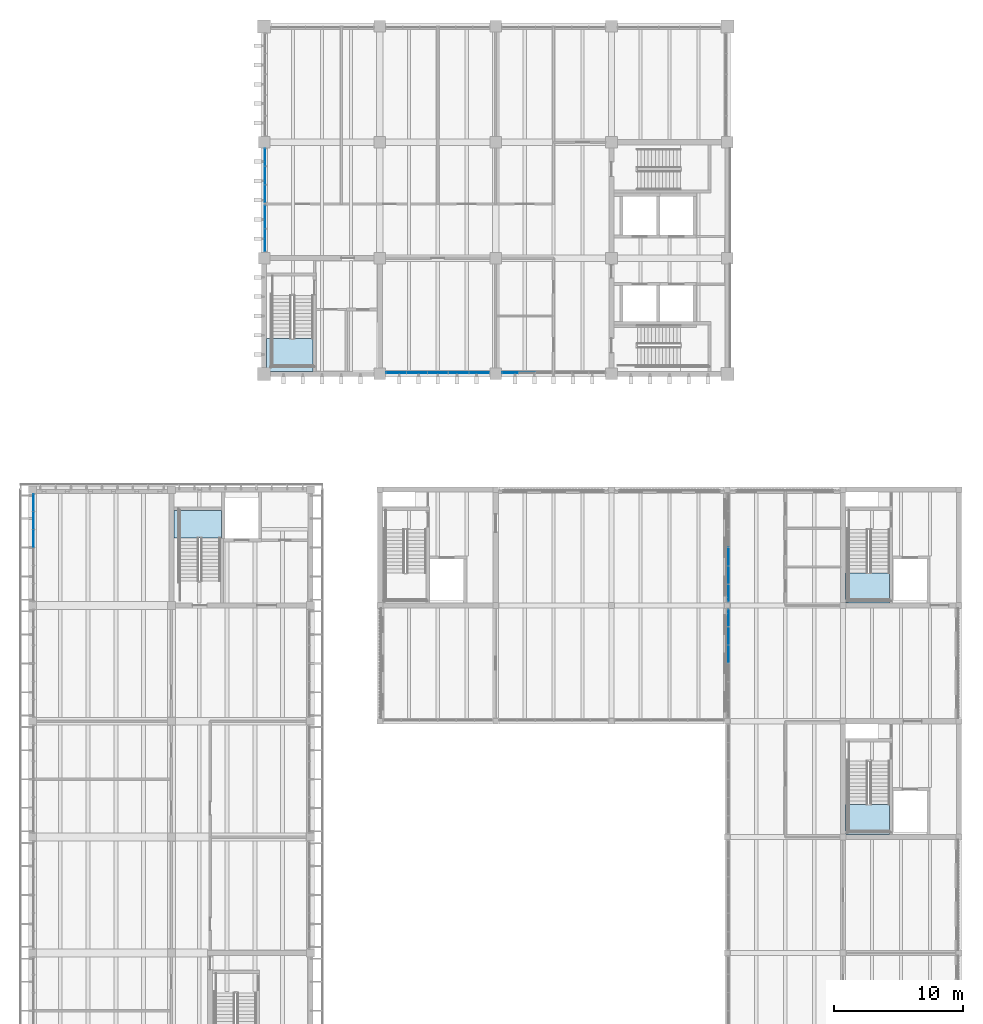
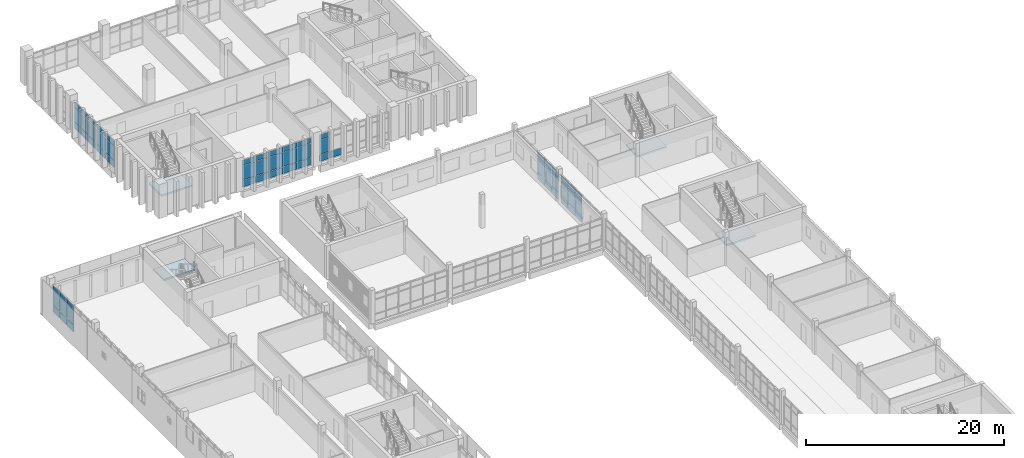
# One storey, part 46 of 88: 61 plates, 4 slabs, 11 elements without a shape of their own.
"""IFC4 building model written with IfcOpenShell, lengths in metres."""

from ifc_helpers import new_model, si_unit, direction, frame, origin, origin_2d, place, context, subcontext, project, spatial, polyline, rectangle, outline, extrude, material, layer, layer_set, type_object, element, aggregate, save


model = new_model("IFC4")

# Units and contexts
model_context = context("Model", 3, precision=1e-05, world=origin(), true_north=direction((0.0, 1.0)))
body_context = subcontext(model_context, "Body", "Model", "MODEL_VIEW")
ifc_project = project(units=[si_unit("LENGTHUNIT", "METRE"), si_unit("AREAUNIT", "SQUARE_METRE"), si_unit("VOLUMEUNIT", "CUBIC_METRE"), si_unit("PLANEANGLEUNIT", "RADIAN"), si_unit("MASSUNIT", "GRAM", prefix="KILO")], contexts=[model_context])

# Site, building, storey
site_placement = place(None, origin())
site = spatial("IfcSite", under=ifc_project, at=site_placement, CompositionType="ELEMENT")
building_placement = place(site_placement, origin())
building = spatial("IfcBuilding", under=site, at=building_placement, Name="Merrow Basin Faculty of Sciences", CompositionType="ELEMENT")
storey_placement = place(building_placement, frame((0.0, 0.0, 9.0)))
storey = spatial("IfcBuildingStorey", under=building, at=storey_placement, Name="L02", CompositionType="ELEMENT", Elevation=9.0)

# Curtain wall, plates
ifc_material_1 = material(Name="Aluminium alloy 6063", Category="aluminium")
curtain_wall_type_1 = type_object("IfcCurtainWallType", Name="Bar unitised curtain wall 180", PredefinedType="NOTDEFINED", material=ifc_material_1)
curtain_wall_1_placement = place(storey_placement, origin())
curtain_wall_1 = element("IfcCurtainWall", 1, at=curtain_wall_1_placement, inside=storey, type_object=curtain_wall_type_1, Name="West curtain wall L02 7", PredefinedType="NOTDEFINED")
ifc_material_2 = material(Name="Insulated aluminium spandrel panel", Category="aluminium")
ifc_layer_1 = layer(ifc_material_2, 0.052001953125)
ifc_layer_set_1 = layer_set([ifc_layer_1], Name="Insulated spandrel panel 52")
plate_type_1 = type_object("IfcPlateType", Name="Insulated spandrel panel 52", PredefinedType="CURTAIN_PANEL", material=ifc_layer_set_1)
plate_1_placement = place(storey_placement, frame((0.090087890625, 129.199951171875, 0.06005859375), z_axis=(0.0, 0.0, 1.0), x_axis=(0.0, 1.0, 0.0)))
plate_1 = element("IfcPlate", 2, at=plate_1_placement, type_object=plate_type_1, Name="CW1 panel 4.1", PredefinedType="CURTAIN_PANEL", context=body_context, shape_type="SweptSolid", body=[
    extrude(rectangle(XDim=1.340087890625, YDim=0.052001953125, at=origin_2d()), origin(), (0.0, 0.0, 1.0), 0.81005859375),
])
plate_2_placement = place(storey_placement, frame((0.090087890625, 130.60009765625, 0.06005859375), z_axis=(0.0, 0.0, 1.0), x_axis=(0.0, 1.0, 0.0)))
plate_2 = element("IfcPlate", 3, at=plate_2_placement, type_object=plate_type_1, Name="CW1 panel 5.1", PredefinedType="CURTAIN_PANEL", context=body_context, shape_type="SweptSolid", body=[
    extrude(rectangle(XDim=1.340087890625, YDim=0.052001953125, at=origin_2d()), origin(), (0.0, 0.0, 1.0), 0.81005859375),
])
plate_3_placement = place(storey_placement, frame((0.090087890625, 131.985107421875, 0.06005859375), z_axis=(0.0, 0.0, 1.0), x_axis=(0.0, 1.0, 0.0)))
plate_3 = element("IfcPlate", 4, at=plate_3_placement, type_object=plate_type_1, Name="CW1 panel 6.1", PredefinedType="CURTAIN_PANEL", context=body_context, shape_type="SweptSolid", body=[
    extrude(rectangle(XDim=1.31005859375, YDim=0.052001953125, at=origin_2d()), origin(), (0.0, 0.0, 1.0), 0.81005859375),
])

ifc_material_3 = material(Name="Aluminium alloy 6063", Category="aluminium")
curtain_wall_type_2 = type_object("IfcCurtainWallType", Name="Court curtain wall 140", PredefinedType="NOTDEFINED", material=ifc_material_3)
curtain_wall_2_placement = place(storey_placement, origin())
curtain_wall_2 = element("IfcCurtainWall", 5, at=curtain_wall_2_placement, inside=storey, type_object=curtain_wall_type_2, Name="Court curtain wall L02 7", PredefinedType="NOTDEFINED")
plate_4_placement = place(storey_placement, frame((54.070068359375, 120.21240234375, 0.06005859375), z_axis=(0.0, 0.0, 1.0), x_axis=(0.0, 1.0, 0.0)))
plate_4 = element("IfcPlate", 6, at=plate_4_placement, type_object=plate_type_1, Name="CW8 panel 4.1", PredefinedType="CURTAIN_PANEL", context=body_context, shape_type="SweptSolid", body=[
    extrude(rectangle(XDim=1.364990234375, YDim=0.052001953125, at=origin_2d()), origin(), (0.0, 0.0, 1.0), 0.81005859375),
])
plate_5_placement = place(storey_placement, frame((54.070068359375, 121.637451171875, 0.06005859375), z_axis=(0.0, 0.0, 1.0), x_axis=(0.0, 1.0, 0.0)))
plate_5 = element("IfcPlate", 7, at=plate_5_placement, type_object=plate_type_1, Name="CW8 panel 5.1", PredefinedType="CURTAIN_PANEL", context=body_context, shape_type="SweptSolid", body=[
    extrude(rectangle(XDim=1.364990234375, YDim=0.052001953125, at=origin_2d()), origin(), (0.0, 0.0, 1.0), 0.81005859375),
])
plate_6_placement = place(storey_placement, frame((54.070068359375, 123.047607421875, 0.06005859375), z_axis=(0.0, 0.0, 1.0), x_axis=(0.0, 1.0, 0.0)))
plate_6 = element("IfcPlate", 8, at=plate_6_placement, type_object=plate_type_1, Name="CW8 panel 6.1", PredefinedType="CURTAIN_PANEL", context=body_context, shape_type="SweptSolid", body=[
    extrude(rectangle(XDim=1.3349609375, YDim=0.052001953125, at=origin_2d()), origin(), (0.0, 0.0, 1.0), 0.81005859375),
])

curtain_wall_3_placement = place(storey_placement, origin())
curtain_wall_3 = element("IfcCurtainWall", 9, at=curtain_wall_3_placement, inside=storey, type_object=curtain_wall_type_2, Name="Court curtain wall L02 8", PredefinedType="NOTDEFINED")
plate_7_placement = place(storey_placement, frame((54.070068359375, 124.952392578125, 0.06005859375), z_axis=(0.0, 0.0, 1.0), x_axis=(0.0, 1.0, 0.0)))
plate_7 = element("IfcPlate", 10, at=plate_7_placement, type_object=plate_type_1, Name="CW8 panel 1.1", PredefinedType="CURTAIN_PANEL", context=body_context, shape_type="SweptSolid", body=[
    extrude(rectangle(XDim=1.3349609375, YDim=0.052001953125, at=origin_2d()), origin(), (0.0, 0.0, 1.0), 0.81005859375),
])
plate_8_placement = place(storey_placement, frame((54.070068359375, 126.362548828125, 0.06005859375), z_axis=(0.0, 0.0, 1.0), x_axis=(0.0, 1.0, 0.0)))
plate_8 = element("IfcPlate", 11, at=plate_8_placement, type_object=plate_type_1, Name="CW8 panel 2.1", PredefinedType="CURTAIN_PANEL", context=body_context, shape_type="SweptSolid", body=[
    extrude(rectangle(XDim=1.364990234375, YDim=0.052001953125, at=origin_2d()), origin(), (0.0, 0.0, 1.0), 0.81005859375),
])
plate_9_placement = place(storey_placement, frame((54.070068359375, 127.78759765625, 0.06005859375), z_axis=(0.0, 0.0, 1.0), x_axis=(0.0, 1.0, 0.0)))
plate_9 = element("IfcPlate", 12, at=plate_9_placement, type_object=plate_type_1, Name="CW8 panel 3.1", PredefinedType="CURTAIN_PANEL", context=body_context, shape_type="SweptSolid", body=[
    extrude(rectangle(XDim=1.364990234375, YDim=0.052001953125, at=origin_2d()), origin(), (0.0, 0.0, 1.0), 0.81005859375),
])

ifc_material_4 = material(Name="Aluminium alloy 6063", Category="aluminium")
curtain_wall_type_3 = type_object("IfcCurtainWallType", Name="Unitised curtain wall 160", PredefinedType="NOTDEFINED", material=ifc_material_4)
curtain_wall_4_placement = place(storey_placement, origin())
curtain_wall_4 = element("IfcCurtainWall", 13, at=curtain_wall_4_placement, inside=storey, type_object=curtain_wall_type_3, Name="W curtain wall L02 1", PredefinedType="NOTDEFINED")
plate_10_placement = place(storey_placement, frame((18.080078125, 152.3837890625, 0.06005859375), z_axis=(0.0, 0.0, 1.0), x_axis=(0.0, 1.0, 0.0)))
plate_10 = element("IfcPlate", 14, at=plate_10_placement, type_object=plate_type_1, Name="CW3 panel 1.1", PredefinedType="CURTAIN_PANEL", context=body_context, shape_type="SweptSolid", body=[
    extrude(rectangle(XDim=1.74755859375, YDim=0.052001953125, at=origin_2d()), origin(), (0.0, 0.0, 1.0), 0.81005859375),
])
plate_11_placement = place(storey_placement, frame((18.080078125, 154.191162109375, 0.06005859375), z_axis=(0.0, 0.0, 1.0), x_axis=(0.0, 1.0, 0.0)))
plate_11 = element("IfcPlate", 15, at=plate_11_placement, type_object=plate_type_1, Name="CW3 panel 2.1", PredefinedType="CURTAIN_PANEL", context=body_context, shape_type="SweptSolid", body=[
    extrude(rectangle(XDim=1.74755859375, YDim=0.052001953125, at=origin_2d()), origin(), (0.0, 0.0, 1.0), 0.81005859375),
])

curtain_wall_5_placement = place(storey_placement, origin())
curtain_wall_5 = element("IfcCurtainWall", 16, at=curtain_wall_5_placement, inside=storey, type_object=curtain_wall_type_3, Name="W curtain wall L02 2", PredefinedType="NOTDEFINED")
plate_12_placement = place(storey_placement, frame((18.080078125, 156.00244140625, 0.06005859375), z_axis=(0.0, 0.0, 1.0), x_axis=(0.0, 1.0, 0.0)))
plate_12 = element("IfcPlate", 17, at=plate_12_placement, type_object=plate_type_1, Name="CW3 panel 1.1", PredefinedType="CURTAIN_PANEL", context=body_context, shape_type="SweptSolid", body=[
    extrude(rectangle(XDim=1.3349609375, YDim=0.052001953125, at=origin_2d()), origin(), (0.0, 0.0, 1.0), 0.81005859375),
])
plate_13_placement = place(storey_placement, frame((18.080078125, 157.41259765625, 0.06005859375), z_axis=(0.0, 0.0, 1.0), x_axis=(0.0, 1.0, 0.0)))
plate_13 = element("IfcPlate", 18, at=plate_13_placement, type_object=plate_type_1, Name="CW3 panel 2.1", PredefinedType="CURTAIN_PANEL", context=body_context, shape_type="SweptSolid", body=[
    extrude(rectangle(XDim=1.364990234375, YDim=0.052001953125, at=origin_2d()), origin(), (0.0, 0.0, 1.0), 0.81005859375),
])
plate_14_placement = place(storey_placement, frame((18.080078125, 158.822509765625, 0.06005859375), z_axis=(0.0, 0.0, 1.0), x_axis=(0.0, 1.0, 0.0)))
plate_14 = element("IfcPlate", 19, at=plate_14_placement, type_object=plate_type_1, Name="CW3 panel 3.1", PredefinedType="CURTAIN_PANEL", context=body_context, shape_type="SweptSolid", body=[
    extrude(rectangle(XDim=1.3349609375, YDim=0.052001953125, at=origin_2d()), origin(), (0.0, 0.0, 1.0), 0.81005859375),
])

curtain_wall_6_placement = place(storey_placement, origin())
curtain_wall_6 = element("IfcCurtainWall", 20, at=curtain_wall_6_placement, inside=storey, type_object=curtain_wall_type_3, Name="S curtain wall L02 1", PredefinedType="NOTDEFINED")
plate_15_placement = place(storey_placement, frame((28.27490234375, 142.080078125, 0.06005859375), z_axis=(0.0, 0.0, 1.0), x_axis=(1.0, 0.0, 0.0)))
plate_15 = element("IfcPlate", 21, at=plate_15_placement, type_object=plate_type_1, Name="CW3 panel 1.1", PredefinedType="CURTAIN_PANEL", context=body_context, shape_type="SweptSolid", body=[
    extrude(rectangle(XDim=1.530029296875, YDim=0.052001953125, at=origin_2d()), origin(), (0.0, 0.0, 1.0), 0.81005859375),
])
plate_16_placement = place(storey_placement, frame((29.8798828125, 142.080078125, 0.06005859375), z_axis=(0.0, 0.0, 1.0), x_axis=(1.0, 0.0, 0.0)))
plate_16 = element("IfcPlate", 22, at=plate_16_placement, type_object=plate_type_1, Name="CW3 panel 2.1", PredefinedType="CURTAIN_PANEL", context=body_context, shape_type="SweptSolid", body=[
    extrude(rectangle(XDim=1.56005859375, YDim=0.052001953125, at=origin_2d()), origin(), (0.0, 0.0, 1.0), 0.81005859375),
])
plate_17_placement = place(storey_placement, frame((31.5, 142.080078125, 0.06005859375), z_axis=(0.0, 0.0, 1.0), x_axis=(1.0, 0.0, 0.0)))
plate_17 = element("IfcPlate", 23, at=plate_17_placement, type_object=plate_type_1, Name="CW3 panel 3.1", PredefinedType="CURTAIN_PANEL", context=body_context, shape_type="SweptSolid", body=[
    extrude(rectangle(XDim=1.56005859375, YDim=0.052001953125, at=origin_2d()), origin(), (0.0, 0.0, 1.0), 0.81005859375),
])
plate_18_placement = place(storey_placement, frame((33.1201171875, 142.080078125, 0.06005859375), z_axis=(0.0, 0.0, 1.0), x_axis=(1.0, 0.0, 0.0)))
plate_18 = element("IfcPlate", 24, at=plate_18_placement, type_object=plate_type_1, Name="CW3 panel 4.1", PredefinedType="CURTAIN_PANEL", context=body_context, shape_type="SweptSolid", body=[
    extrude(rectangle(XDim=1.56005859375, YDim=0.052001953125, at=origin_2d()), origin(), (0.0, 0.0, 1.0), 0.81005859375),
])
plate_19_placement = place(storey_placement, frame((34.72509765625, 142.080078125, 0.06005859375), z_axis=(0.0, 0.0, 1.0), x_axis=(1.0, 0.0, 0.0)))
plate_19 = element("IfcPlate", 25, at=plate_19_placement, type_object=plate_type_1, Name="CW3 panel 5.1", PredefinedType="CURTAIN_PANEL", context=body_context, shape_type="SweptSolid", body=[
    extrude(rectangle(XDim=1.530029296875, YDim=0.052001953125, at=origin_2d()), origin(), (0.0, 0.0, 1.0), 0.81005859375),
])

curtain_wall_7_placement = place(storey_placement, origin())
curtain_wall_7 = element("IfcCurtainWall", 26, at=curtain_wall_7_placement, inside=storey, type_object=curtain_wall_type_3, Name="S curtain wall L02 2", PredefinedType="NOTDEFINED")
plate_20_placement = place(storey_placement, frame((37.12744140625, 142.080078125, 0.06005859375), z_axis=(0.0, 0.0, 1.0), x_axis=(1.0, 0.0, 0.0)))
plate_20 = element("IfcPlate", 27, at=plate_20_placement, type_object=plate_type_1, Name="CW3 panel 1.1", PredefinedType="CURTAIN_PANEL", context=body_context, shape_type="SweptSolid", body=[
    extrude(rectangle(XDim=1.235107421875, YDim=0.052001953125, at=origin_2d()), origin(), (0.0, 0.0, 1.0), 0.81005859375),
])
plate_21_placement = place(storey_placement, frame((38.4375, 142.080078125, 0.06005859375), z_axis=(0.0, 0.0, 1.0), x_axis=(1.0, 0.0, 0.0)))
plate_21 = element("IfcPlate", 28, at=plate_21_placement, type_object=plate_type_1, Name="CW3 panel 2.1", PredefinedType="CURTAIN_PANEL", context=body_context, shape_type="SweptSolid", body=[
    extrude(rectangle(XDim=1.264892578125, YDim=0.052001953125, at=origin_2d()), origin(), (0.0, 0.0, 1.0), 0.81005859375),
])

# Plate
ifc_material_5 = material(Name="Low-E double glazing", Category="glass")
ifc_layer_2 = layer(ifc_material_5, 0.028076171875)
ifc_layer_set_2 = layer_set([ifc_layer_2], Name="Low-E double glazed panel 28")
plate_type_2 = type_object("IfcPlateType", Name="Low-E double glazed panel 28", PredefinedType="CURTAIN_PANEL", material=ifc_layer_set_2)
plate_22_placement = place(storey_placement, frame((0.090087890625, 129.199951171875, 0.93017578125), z_axis=(0.0, 0.0, 1.0), x_axis=(0.0, 1.0, 0.0)))
plate_22 = element("IfcPlate", 29, at=plate_22_placement, type_object=plate_type_2, Name="CW1 panel 4.2", PredefinedType="CURTAIN_PANEL", context=body_context, shape_type="SweptSolid", body=[
    extrude(rectangle(XDim=1.340087890625, YDim=0.028076171875, at=origin_2d()), origin(), (0.0, 0.0, 1.0), 1.739990234375),
])

plate_23_placement = place(storey_placement, frame((0.090087890625, 129.199951171875, 2.72998046875), z_axis=(0.0, 0.0, 1.0), x_axis=(0.0, 1.0, 0.0)))
plate_23 = element("IfcPlate", 30, at=plate_23_placement, type_object=plate_type_2, Name="CW1 panel 4.3", PredefinedType="CURTAIN_PANEL", context=body_context, shape_type="SweptSolid", body=[
    extrude(rectangle(XDim=1.340087890625, YDim=0.028076171875, at=origin_2d()), origin(), (0.0, 0.0, 1.0), 0.610107421875),
])

plate_24_placement = place(storey_placement, frame((0.090087890625, 130.60009765625, 0.93017578125), z_axis=(0.0, 0.0, 1.0), x_axis=(0.0, 1.0, 0.0)))
plate_24 = element("IfcPlate", 31, at=plate_24_placement, type_object=plate_type_2, Name="CW1 panel 5.2", PredefinedType="CURTAIN_PANEL", context=body_context, shape_type="SweptSolid", body=[
    extrude(rectangle(XDim=1.340087890625, YDim=0.028076171875, at=origin_2d()), origin(), (0.0, 0.0, 1.0), 1.739990234375),
])

plate_25_placement = place(storey_placement, frame((0.090087890625, 130.60009765625, 2.72998046875), z_axis=(0.0, 0.0, 1.0), x_axis=(0.0, 1.0, 0.0)))
plate_25 = element("IfcPlate", 32, at=plate_25_placement, type_object=plate_type_2, Name="CW1 panel 5.3", PredefinedType="CURTAIN_PANEL", context=body_context, shape_type="SweptSolid", body=[
    extrude(rectangle(XDim=1.340087890625, YDim=0.028076171875, at=origin_2d()), origin(), (0.0, 0.0, 1.0), 0.610107421875),
])

plate_26_placement = place(storey_placement, frame((0.090087890625, 131.985107421875, 0.93017578125), z_axis=(0.0, 0.0, 1.0), x_axis=(0.0, 1.0, 0.0)))
plate_26 = element("IfcPlate", 33, at=plate_26_placement, type_object=plate_type_2, Name="CW1 panel 6.2", PredefinedType="CURTAIN_PANEL", context=body_context, shape_type="SweptSolid", body=[
    extrude(rectangle(XDim=1.31005859375, YDim=0.028076171875, at=origin_2d()), origin(), (0.0, 0.0, 1.0), 1.739990234375),
])

plate_27_placement = place(storey_placement, frame((0.090087890625, 131.985107421875, 2.72998046875), z_axis=(0.0, 0.0, 1.0), x_axis=(0.0, 1.0, 0.0)))
plate_27 = element("IfcPlate", 34, at=plate_27_placement, type_object=plate_type_2, Name="CW1 panel 6.3", PredefinedType="CURTAIN_PANEL", context=body_context, shape_type="SweptSolid", body=[
    extrude(rectangle(XDim=1.31005859375, YDim=0.028076171875, at=origin_2d()), origin(), (0.0, 0.0, 1.0), 0.610107421875),
])

aggregate(curtain_wall_1, [plate_1, plate_22, plate_23, plate_2, plate_24, plate_25, plate_3, plate_26, plate_27])

plate_28_placement = place(storey_placement, frame((54.070068359375, 120.21240234375, 0.93017578125), z_axis=(0.0, 0.0, 1.0), x_axis=(0.0, 1.0, 0.0)))
plate_28 = element("IfcPlate", 35, at=plate_28_placement, type_object=plate_type_2, Name="CW8 panel 4.2", PredefinedType="CURTAIN_PANEL", context=body_context, shape_type="SweptSolid", body=[
    extrude(rectangle(XDim=1.364990234375, YDim=0.028076171875, at=origin_2d()), origin(), (0.0, 0.0, 1.0), 1.739990234375),
])

plate_29_placement = place(storey_placement, frame((54.070068359375, 120.21240234375, 2.72998046875), z_axis=(0.0, 0.0, 1.0), x_axis=(0.0, 1.0, 0.0)))
plate_29 = element("IfcPlate", 36, at=plate_29_placement, type_object=plate_type_2, Name="CW8 panel 4.3", PredefinedType="CURTAIN_PANEL", context=body_context, shape_type="SweptSolid", body=[
    extrude(rectangle(XDim=1.364990234375, YDim=0.028076171875, at=origin_2d()), origin(), (0.0, 0.0, 1.0), 0.659912109375),
])

plate_30_placement = place(storey_placement, frame((54.070068359375, 121.637451171875, 0.93017578125), z_axis=(0.0, 0.0, 1.0), x_axis=(0.0, 1.0, 0.0)))
plate_30 = element("IfcPlate", 37, at=plate_30_placement, type_object=plate_type_2, Name="CW8 panel 5.2", PredefinedType="CURTAIN_PANEL", context=body_context, shape_type="SweptSolid", body=[
    extrude(rectangle(XDim=1.364990234375, YDim=0.028076171875, at=origin_2d()), origin(), (0.0, 0.0, 1.0), 1.739990234375),
])

plate_31_placement = place(storey_placement, frame((54.070068359375, 121.637451171875, 2.72998046875), z_axis=(0.0, 0.0, 1.0), x_axis=(0.0, 1.0, 0.0)))
plate_31 = element("IfcPlate", 38, at=plate_31_placement, type_object=plate_type_2, Name="CW8 panel 5.3", PredefinedType="CURTAIN_PANEL", context=body_context, shape_type="SweptSolid", body=[
    extrude(rectangle(XDim=1.364990234375, YDim=0.028076171875, at=origin_2d()), origin(), (0.0, 0.0, 1.0), 0.659912109375),
])

plate_32_placement = place(storey_placement, frame((54.070068359375, 123.047607421875, 0.93017578125), z_axis=(0.0, 0.0, 1.0), x_axis=(0.0, 1.0, 0.0)))
plate_32 = element("IfcPlate", 39, at=plate_32_placement, type_object=plate_type_2, Name="CW8 panel 6.2", PredefinedType="CURTAIN_PANEL", context=body_context, shape_type="SweptSolid", body=[
    extrude(rectangle(XDim=1.3349609375, YDim=0.028076171875, at=origin_2d()), origin(), (0.0, 0.0, 1.0), 1.739990234375),
])

plate_33_placement = place(storey_placement, frame((54.070068359375, 123.047607421875, 2.72998046875), z_axis=(0.0, 0.0, 1.0), x_axis=(0.0, 1.0, 0.0)))
plate_33 = element("IfcPlate", 40, at=plate_33_placement, type_object=plate_type_2, Name="CW8 panel 6.3", PredefinedType="CURTAIN_PANEL", context=body_context, shape_type="SweptSolid", body=[
    extrude(rectangle(XDim=1.3349609375, YDim=0.028076171875, at=origin_2d()), origin(), (0.0, 0.0, 1.0), 0.659912109375),
])

aggregate(curtain_wall_2, [plate_4, plate_28, plate_29, plate_5, plate_30, plate_31, plate_6, plate_32, plate_33])

plate_34_placement = place(storey_placement, frame((54.070068359375, 124.952392578125, 0.93017578125), z_axis=(0.0, 0.0, 1.0), x_axis=(0.0, 1.0, 0.0)))
plate_34 = element("IfcPlate", 41, at=plate_34_placement, type_object=plate_type_2, Name="CW8 panel 1.2", PredefinedType="CURTAIN_PANEL", context=body_context, shape_type="SweptSolid", body=[
    extrude(rectangle(XDim=1.3349609375, YDim=0.028076171875, at=origin_2d()), origin(), (0.0, 0.0, 1.0), 1.739990234375),
])

plate_35_placement = place(storey_placement, frame((54.070068359375, 124.952392578125, 2.72998046875), z_axis=(0.0, 0.0, 1.0), x_axis=(0.0, 1.0, 0.0)))
plate_35 = element("IfcPlate", 42, at=plate_35_placement, type_object=plate_type_2, Name="CW8 panel 1.3", PredefinedType="CURTAIN_PANEL", context=body_context, shape_type="SweptSolid", body=[
    extrude(rectangle(XDim=1.3349609375, YDim=0.028076171875, at=origin_2d()), origin(), (0.0, 0.0, 1.0), 0.659912109375),
])

plate_36_placement = place(storey_placement, frame((54.070068359375, 126.362548828125, 0.93017578125), z_axis=(0.0, 0.0, 1.0), x_axis=(0.0, 1.0, 0.0)))
plate_36 = element("IfcPlate", 43, at=plate_36_placement, type_object=plate_type_2, Name="CW8 panel 2.2", PredefinedType="CURTAIN_PANEL", context=body_context, shape_type="SweptSolid", body=[
    extrude(rectangle(XDim=1.364990234375, YDim=0.028076171875, at=origin_2d()), origin(), (0.0, 0.0, 1.0), 1.739990234375),
])

plate_37_placement = place(storey_placement, frame((54.070068359375, 126.362548828125, 2.72998046875), z_axis=(0.0, 0.0, 1.0), x_axis=(0.0, 1.0, 0.0)))
plate_37 = element("IfcPlate", 44, at=plate_37_placement, type_object=plate_type_2, Name="CW8 panel 2.3", PredefinedType="CURTAIN_PANEL", context=body_context, shape_type="SweptSolid", body=[
    extrude(rectangle(XDim=1.364990234375, YDim=0.028076171875, at=origin_2d()), origin(), (0.0, 0.0, 1.0), 0.659912109375),
])

plate_38_placement = place(storey_placement, frame((54.070068359375, 127.78759765625, 0.93017578125), z_axis=(0.0, 0.0, 1.0), x_axis=(0.0, 1.0, 0.0)))
plate_38 = element("IfcPlate", 45, at=plate_38_placement, type_object=plate_type_2, Name="CW8 panel 3.2", PredefinedType="CURTAIN_PANEL", context=body_context, shape_type="SweptSolid", body=[
    extrude(rectangle(XDim=1.364990234375, YDim=0.028076171875, at=origin_2d()), origin(), (0.0, 0.0, 1.0), 1.739990234375),
])

plate_39_placement = place(storey_placement, frame((54.070068359375, 127.78759765625, 2.72998046875), z_axis=(0.0, 0.0, 1.0), x_axis=(0.0, 1.0, 0.0)))
plate_39 = element("IfcPlate", 46, at=plate_39_placement, type_object=plate_type_2, Name="CW8 panel 3.3", PredefinedType="CURTAIN_PANEL", context=body_context, shape_type="SweptSolid", body=[
    extrude(rectangle(XDim=1.364990234375, YDim=0.028076171875, at=origin_2d()), origin(), (0.0, 0.0, 1.0), 0.659912109375),
])

aggregate(curtain_wall_3, [plate_7, plate_34, plate_35, plate_8, plate_36, plate_37, plate_9, plate_38, plate_39])

plate_40_placement = place(storey_placement, frame((18.080078125, 152.3837890625, 0.93017578125), z_axis=(0.0, 0.0, 1.0), x_axis=(0.0, 1.0, 0.0)))
plate_40 = element("IfcPlate", 47, at=plate_40_placement, type_object=plate_type_2, Name="CW3 panel 1.2", PredefinedType="CURTAIN_PANEL", context=body_context, shape_type="SweptSolid", body=[
    extrude(rectangle(XDim=1.74755859375, YDim=0.028076171875, at=origin_2d()), origin(), (0.0, 0.0, 1.0), 1.739990234375),
])

plate_41_placement = place(storey_placement, frame((18.080078125, 152.3837890625, 2.72998046875), z_axis=(0.0, 0.0, 1.0), x_axis=(0.0, 1.0, 0.0)))
plate_41 = element("IfcPlate", 48, at=plate_41_placement, type_object=plate_type_2, Name="CW3 panel 1.3", PredefinedType="CURTAIN_PANEL", context=body_context, shape_type="SweptSolid", body=[
    extrude(rectangle(XDim=1.74755859375, YDim=0.028076171875, at=origin_2d()), origin(), (0.0, 0.0, 1.0), 0.610107421875),
])

plate_42_placement = place(storey_placement, frame((18.080078125, 154.191162109375, 0.93017578125), z_axis=(0.0, 0.0, 1.0), x_axis=(0.0, 1.0, 0.0)))
plate_42 = element("IfcPlate", 49, at=plate_42_placement, type_object=plate_type_2, Name="CW3 panel 2.2", PredefinedType="CURTAIN_PANEL", context=body_context, shape_type="SweptSolid", body=[
    extrude(rectangle(XDim=1.74755859375, YDim=0.028076171875, at=origin_2d()), origin(), (0.0, 0.0, 1.0), 1.739990234375),
])

plate_43_placement = place(storey_placement, frame((18.080078125, 154.191162109375, 2.72998046875), z_axis=(0.0, 0.0, 1.0), x_axis=(0.0, 1.0, 0.0)))
plate_43 = element("IfcPlate", 50, at=plate_43_placement, type_object=plate_type_2, Name="CW3 panel 2.3", PredefinedType="CURTAIN_PANEL", context=body_context, shape_type="SweptSolid", body=[
    extrude(rectangle(XDim=1.74755859375, YDim=0.028076171875, at=origin_2d()), origin(), (0.0, 0.0, 1.0), 0.610107421875),
])

aggregate(curtain_wall_4, [plate_10, plate_40, plate_41, plate_11, plate_42, plate_43])

plate_44_placement = place(storey_placement, frame((18.080078125, 156.00244140625, 0.93017578125), z_axis=(0.0, 0.0, 1.0), x_axis=(0.0, 1.0, 0.0)))
plate_44 = element("IfcPlate", 51, at=plate_44_placement, type_object=plate_type_2, Name="CW3 panel 1.2", PredefinedType="CURTAIN_PANEL", context=body_context, shape_type="SweptSolid", body=[
    extrude(rectangle(XDim=1.3349609375, YDim=0.028076171875, at=origin_2d()), origin(), (0.0, 0.0, 1.0), 1.739990234375),
])

plate_45_placement = place(storey_placement, frame((18.080078125, 156.00244140625, 2.72998046875), z_axis=(0.0, 0.0, 1.0), x_axis=(0.0, 1.0, 0.0)))
plate_45 = element("IfcPlate", 52, at=plate_45_placement, type_object=plate_type_2, Name="CW3 panel 1.3", PredefinedType="CURTAIN_PANEL", context=body_context, shape_type="SweptSolid", body=[
    extrude(rectangle(XDim=1.3349609375, YDim=0.028076171875, at=origin_2d()), origin(), (0.0, 0.0, 1.0), 0.610107421875),
])

plate_46_placement = place(storey_placement, frame((18.080078125, 157.41259765625, 0.93017578125), z_axis=(0.0, 0.0, 1.0), x_axis=(0.0, 1.0, 0.0)))
plate_46 = element("IfcPlate", 53, at=plate_46_placement, type_object=plate_type_2, Name="CW3 panel 2.2", PredefinedType="CURTAIN_PANEL", context=body_context, shape_type="SweptSolid", body=[
    extrude(rectangle(XDim=1.364990234375, YDim=0.028076171875, at=origin_2d()), origin(), (0.0, 0.0, 1.0), 1.739990234375),
])

plate_47_placement = place(storey_placement, frame((18.080078125, 157.41259765625, 2.72998046875), z_axis=(0.0, 0.0, 1.0), x_axis=(0.0, 1.0, 0.0)))
plate_47 = element("IfcPlate", 54, at=plate_47_placement, type_object=plate_type_2, Name="CW3 panel 2.3", PredefinedType="CURTAIN_PANEL", context=body_context, shape_type="SweptSolid", body=[
    extrude(rectangle(XDim=1.364990234375, YDim=0.028076171875, at=origin_2d()), origin(), (0.0, 0.0, 1.0), 0.610107421875),
])

plate_48_placement = place(storey_placement, frame((18.080078125, 158.822509765625, 0.93017578125), z_axis=(0.0, 0.0, 1.0), x_axis=(0.0, 1.0, 0.0)))
plate_48 = element("IfcPlate", 55, at=plate_48_placement, type_object=plate_type_2, Name="CW3 panel 3.2", PredefinedType="CURTAIN_PANEL", context=body_context, shape_type="SweptSolid", body=[
    extrude(rectangle(XDim=1.3349609375, YDim=0.028076171875, at=origin_2d()), origin(), (0.0, 0.0, 1.0), 1.739990234375),
])

plate_49_placement = place(storey_placement, frame((18.080078125, 158.822509765625, 2.72998046875), z_axis=(0.0, 0.0, 1.0), x_axis=(0.0, 1.0, 0.0)))
plate_49 = element("IfcPlate", 56, at=plate_49_placement, type_object=plate_type_2, Name="CW3 panel 3.3", PredefinedType="CURTAIN_PANEL", context=body_context, shape_type="SweptSolid", body=[
    extrude(rectangle(XDim=1.3349609375, YDim=0.028076171875, at=origin_2d()), origin(), (0.0, 0.0, 1.0), 0.610107421875),
])

aggregate(curtain_wall_5, [plate_12, plate_44, plate_45, plate_13, plate_46, plate_47, plate_14, plate_48, plate_49])

plate_50_placement = place(storey_placement, frame((28.27490234375, 142.080078125, 0.93017578125), z_axis=(0.0, 0.0, 1.0), x_axis=(1.0, 0.0, 0.0)))
plate_50 = element("IfcPlate", 57, at=plate_50_placement, type_object=plate_type_2, Name="CW3 panel 1.2", PredefinedType="CURTAIN_PANEL", context=body_context, shape_type="SweptSolid", body=[
    extrude(rectangle(XDim=1.530029296875, YDim=0.028076171875, at=origin_2d()), origin(), (0.0, 0.0, 1.0), 1.739990234375),
])

plate_51_placement = place(storey_placement, frame((28.27490234375, 142.080078125, 2.72998046875), z_axis=(0.0, 0.0, 1.0), x_axis=(1.0, 0.0, 0.0)))
plate_51 = element("IfcPlate", 58, at=plate_51_placement, type_object=plate_type_2, Name="CW3 panel 1.3", PredefinedType="CURTAIN_PANEL", context=body_context, shape_type="SweptSolid", body=[
    extrude(rectangle(XDim=1.530029296875, YDim=0.028076171875, at=origin_2d()), origin(), (0.0, 0.0, 1.0), 0.610107421875),
])

plate_52_placement = place(storey_placement, frame((29.8798828125, 142.080078125, 0.93017578125), z_axis=(0.0, 0.0, 1.0), x_axis=(1.0, 0.0, 0.0)))
plate_52 = element("IfcPlate", 59, at=plate_52_placement, type_object=plate_type_2, Name="CW3 panel 2.2", PredefinedType="CURTAIN_PANEL", context=body_context, shape_type="SweptSolid", body=[
    extrude(rectangle(XDim=1.56005859375, YDim=0.028076171875, at=origin_2d()), origin(), (0.0, 0.0, 1.0), 1.739990234375),
])

plate_53_placement = place(storey_placement, frame((29.8798828125, 142.080078125, 2.72998046875), z_axis=(0.0, 0.0, 1.0), x_axis=(1.0, 0.0, 0.0)))
plate_53 = element("IfcPlate", 60, at=plate_53_placement, type_object=plate_type_2, Name="CW3 panel 2.3", PredefinedType="CURTAIN_PANEL", context=body_context, shape_type="SweptSolid", body=[
    extrude(rectangle(XDim=1.56005859375, YDim=0.028076171875, at=origin_2d()), origin(), (0.0, 0.0, 1.0), 0.610107421875),
])

plate_54_placement = place(storey_placement, frame((31.5, 142.080078125, 0.93017578125), z_axis=(0.0, 0.0, 1.0), x_axis=(1.0, 0.0, 0.0)))
plate_54 = element("IfcPlate", 61, at=plate_54_placement, type_object=plate_type_2, Name="CW3 panel 3.2", PredefinedType="CURTAIN_PANEL", context=body_context, shape_type="SweptSolid", body=[
    extrude(rectangle(XDim=1.56005859375, YDim=0.028076171875, at=origin_2d()), origin(), (0.0, 0.0, 1.0), 1.739990234375),
])

plate_55_placement = place(storey_placement, frame((31.5, 142.080078125, 2.72998046875), z_axis=(0.0, 0.0, 1.0), x_axis=(1.0, 0.0, 0.0)))
plate_55 = element("IfcPlate", 62, at=plate_55_placement, type_object=plate_type_2, Name="CW3 panel 3.3", PredefinedType="CURTAIN_PANEL", context=body_context, shape_type="SweptSolid", body=[
    extrude(rectangle(XDim=1.56005859375, YDim=0.028076171875, at=origin_2d()), origin(), (0.0, 0.0, 1.0), 0.610107421875),
])

plate_56_placement = place(storey_placement, frame((33.1201171875, 142.080078125, 0.93017578125), z_axis=(0.0, 0.0, 1.0), x_axis=(1.0, 0.0, 0.0)))
plate_56 = element("IfcPlate", 63, at=plate_56_placement, type_object=plate_type_2, Name="CW3 panel 4.2", PredefinedType="CURTAIN_PANEL", context=body_context, shape_type="SweptSolid", body=[
    extrude(rectangle(XDim=1.56005859375, YDim=0.028076171875, at=origin_2d()), origin(), (0.0, 0.0, 1.0), 1.739990234375),
])

plate_57_placement = place(storey_placement, frame((33.1201171875, 142.080078125, 2.72998046875), z_axis=(0.0, 0.0, 1.0), x_axis=(1.0, 0.0, 0.0)))
plate_57 = element("IfcPlate", 64, at=plate_57_placement, type_object=plate_type_2, Name="CW3 panel 4.3", PredefinedType="CURTAIN_PANEL", context=body_context, shape_type="SweptSolid", body=[
    extrude(rectangle(XDim=1.56005859375, YDim=0.028076171875, at=origin_2d()), origin(), (0.0, 0.0, 1.0), 0.610107421875),
])

plate_58_placement = place(storey_placement, frame((34.72509765625, 142.080078125, 0.93017578125), z_axis=(0.0, 0.0, 1.0), x_axis=(1.0, 0.0, 0.0)))
plate_58 = element("IfcPlate", 65, at=plate_58_placement, type_object=plate_type_2, Name="CW3 panel 5.2", PredefinedType="CURTAIN_PANEL", context=body_context, shape_type="SweptSolid", body=[
    extrude(rectangle(XDim=1.530029296875, YDim=0.028076171875, at=origin_2d()), origin(), (0.0, 0.0, 1.0), 1.739990234375),
])

plate_59_placement = place(storey_placement, frame((34.72509765625, 142.080078125, 2.72998046875), z_axis=(0.0, 0.0, 1.0), x_axis=(1.0, 0.0, 0.0)))
plate_59 = element("IfcPlate", 66, at=plate_59_placement, type_object=plate_type_2, Name="CW3 panel 5.3", PredefinedType="CURTAIN_PANEL", context=body_context, shape_type="SweptSolid", body=[
    extrude(rectangle(XDim=1.530029296875, YDim=0.028076171875, at=origin_2d()), origin(), (0.0, 0.0, 1.0), 0.610107421875),
])

aggregate(curtain_wall_6, [plate_15, plate_50, plate_51, plate_16, plate_52, plate_53, plate_17, plate_54, plate_55, plate_18, plate_56, plate_57, plate_19, plate_58, plate_59])

plate_60_placement = place(storey_placement, frame((37.12744140625, 142.080078125, 0.93017578125), z_axis=(0.0, 0.0, 1.0), x_axis=(1.0, 0.0, 0.0)))
plate_60 = element("IfcPlate", 67, at=plate_60_placement, type_object=plate_type_2, Name="CW3 panel 1.2", PredefinedType="CURTAIN_PANEL", context=body_context, shape_type="SweptSolid", body=[
    extrude(rectangle(XDim=1.235107421875, YDim=0.028076171875, at=origin_2d()), origin(), (0.0, 0.0, 1.0), 1.739990234375),
])

plate_61_placement = place(storey_placement, frame((37.12744140625, 142.080078125, 2.72998046875), z_axis=(0.0, 0.0, 1.0), x_axis=(1.0, 0.0, 0.0)))
plate_61 = element("IfcPlate", 68, at=plate_61_placement, type_object=plate_type_2, Name="CW3 panel 1.3", PredefinedType="CURTAIN_PANEL", context=body_context, shape_type="SweptSolid", body=[
    extrude(rectangle(XDim=1.235107421875, YDim=0.028076171875, at=origin_2d()), origin(), (0.0, 0.0, 1.0), 0.610107421875),
])

aggregate(curtain_wall_7, [plate_20, plate_60, plate_61, plate_21])

# Stair, slab
ifc_material_6 = material(Name="Concrete C40/50", Category="concrete")
stair_type = type_object("IfcStairType", Name="Concrete dog-leg stair Concrete C40/50", PredefinedType="HALF_TURN_STAIR", material=ifc_material_6)
stair_1_placement = place(storey_placement, origin())
stair_1 = element("IfcStair", 69, at=stair_1_placement, inside=storey, type_object=stair_type, Name="L02 Exit stair N", PredefinedType="HALF_TURN_STAIR")
ifc_material_7 = material(Name="Concrete C40/50", Category="concrete")
ifc_layer_3 = layer(ifc_material_7, 0.199951171875)
ifc_layer_set_3 = layer_set([ifc_layer_3], Name="Stair landing 200 Concrete C40/50")
slab_type = type_object("IfcSlabType", Name="Stair landing 200 Concrete C40/50", PredefinedType="LANDING", material=ifc_layer_set_3)
slab_1_placement = place(storey_placement, frame((0.0, 0.0, 2.050048828125)))
slab_1 = element("IfcSlab", 70, at=slab_1_placement, type_object=slab_type, Name="ST-V4-N landing 1", PredefinedType="LANDING", context=body_context, shape_type="SweptSolid", body=[
    extrude(outline(polyline([(11.0, 129.260009765625), (14.699951171875, 129.260009765625), (14.699951171875, 131.39990234375), (11.0, 131.39990234375), (11.0, 129.260009765625)])), origin(), (0.0, 0.0, 1.0), 0.199951171875),
])
aggregate(stair_1, [slab_1])

stair_2_placement = place(storey_placement, origin())
stair_2 = element("IfcStair", 71, at=stair_2_placement, inside=storey, type_object=stair_type, Name="L02 Exit stair M", PredefinedType="HALF_TURN_STAIR")
slab_2_placement = place(storey_placement, frame((0.0, 0.0, 2.050048828125)))
slab_2 = element("IfcSlab", 72, at=slab_2_placement, type_object=slab_type, Name="ST-V2-M landing 1", PredefinedType="LANDING", context=body_context, shape_type="SweptSolid", body=[
    extrude(outline(polyline([(63.199951171875, 106.199951171875), (66.60009765625, 106.199951171875), (66.60009765625, 108.5400390625), (63.199951171875, 108.5400390625), (63.199951171875, 106.199951171875)])), origin(), (0.0, 0.0, 1.0), 0.199951171875),
])
aggregate(stair_2, [slab_2])

stair_3_placement = place(storey_placement, origin())
stair_3 = element("IfcStair", 73, at=stair_3_placement, inside=storey, type_object=stair_type, Name="L02 Exit stair N", PredefinedType="HALF_TURN_STAIR")
slab_3_placement = place(storey_placement, frame((0.0, 0.0, 2.050048828125)))
slab_3 = element("IfcSlab", 74, at=slab_3_placement, type_object=slab_type, Name="ST-V2-N landing 1", PredefinedType="LANDING", context=body_context, shape_type="SweptSolid", body=[
    extrude(outline(polyline([(63.199951171875, 124.199951171875), (66.60009765625, 124.199951171875), (66.60009765625, 126.5400390625), (63.199951171875, 126.5400390625), (63.199951171875, 124.199951171875)])), origin(), (0.0, 0.0, 1.0), 0.199951171875),
])
aggregate(stair_3, [slab_3])

stair_4_placement = place(storey_placement, origin())
stair_4 = element("IfcStair", 75, at=stair_4_placement, inside=storey, type_object=stair_type, Name="L02 Exit stair W", PredefinedType="HALF_TURN_STAIR")
slab_4_placement = place(storey_placement, frame((0.0, 0.0, 2.050048828125)))
slab_4 = element("IfcSlab", 76, at=slab_4_placement, type_object=slab_type, Name="ST-V5-W landing 1", PredefinedType="LANDING", context=body_context, shape_type="SweptSolid", body=[
    extrude(outline(polyline([(18.199951171875, 142.199951171875), (21.800048828125, 142.199951171875), (21.800048828125, 144.739990234375), (18.199951171875, 144.739990234375), (18.199951171875, 142.199951171875)])), origin(), (0.0, 0.0, 1.0), 0.199951171875),
])
aggregate(stair_4, [slab_4])

save(model, "model.ifc")
